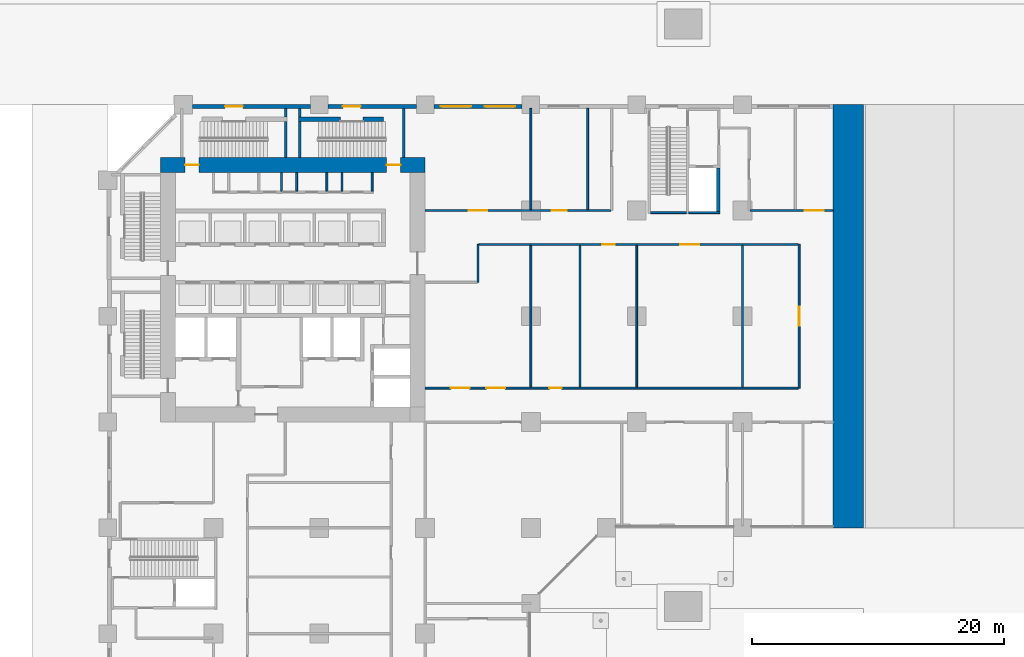
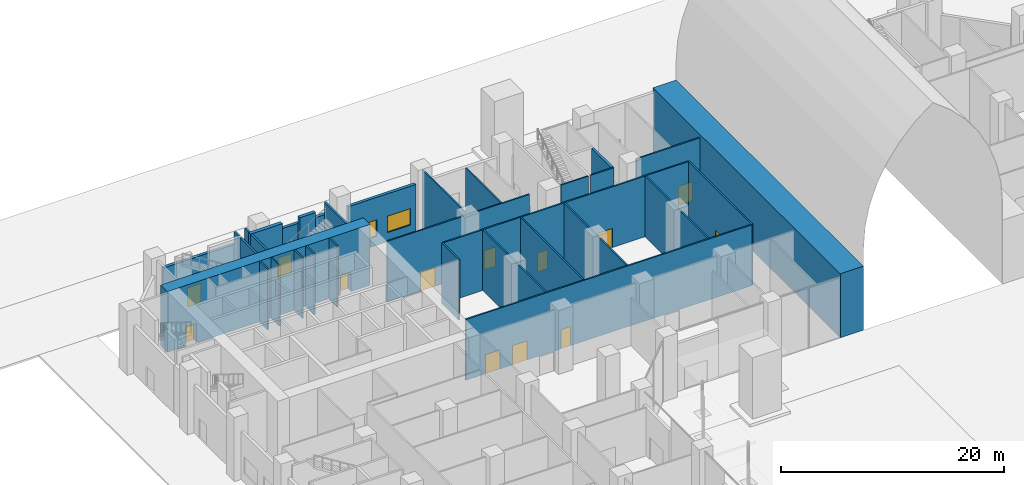
# One storey, part 20 of 32: 32 walls, 13 doors, 2 windows, 15 openings.
"""IFC4 building model written with IfcOpenShell, lengths in metres."""

from ifc_helpers import new_model, si_unit, direction, frame, frame_2d, origin, place, context, subcontext, project, spatial, polyline, rectangle, outline, extrude, material, layer, layer_set, type_object, element, fill, save


model = new_model("IFC4")

# Units and contexts
model_context = context("Model", 3, precision=1e-05, world=origin(), true_north=direction((0.0, 1.0)))
body_context = subcontext(model_context, "Body", "Model", "MODEL_VIEW")
ifc_project = project(units=[si_unit("LENGTHUNIT", "METRE"), si_unit("AREAUNIT", "SQUARE_METRE"), si_unit("VOLUMEUNIT", "CUBIC_METRE"), si_unit("PLANEANGLEUNIT", "RADIAN"), si_unit("MASSUNIT", "GRAM", prefix="KILO")], contexts=[model_context])

# Site, building, storey
site_placement = place(None, origin())
site = spatial("IfcSite", under=ifc_project, at=site_placement, CompositionType="ELEMENT")
building_placement = place(site_placement, origin())
building = spatial("IfcBuilding", under=site, at=building_placement, Name="Kawkab Arch Medical Tower", CompositionType="ELEMENT")
storey_placement = place(building_placement, origin())
storey = spatial("IfcBuildingStorey", under=building, at=storey_placement, Name="L01", CompositionType="ELEMENT", Elevation=0.0)

# Wall
ifc_material_1 = material(Name="Concrete C60/75", Category="concrete")
wall_type_1 = type_object("IfcWallType", Name="Arch wall C60/75", PredefinedType="SHEAR", material=ifc_material_1)
wall_1_placement = place(storey_placement, frame((0.0, 0.0, 0.0), z_axis=(0.0, -1.0, 0.0), x_axis=(1.0, 0.0, 0.0)))
element("IfcWall", 1, at=wall_1_placement, inside=storey, type_object=wall_type_1, Name="Arch wall L01-1", PredefinedType="SHEAR", context=body_context, shape_type="SweptSolid", body=[
    extrude(outline(polyline([(60.0, 7.0), (60.0, 6.75), (60.0, 4.5), (60.0, 2.25), (60.0, 0.0), (57.60009765625, 0.0), (57.60009765625, 7.0), (60.0, 7.0)])), origin(), (0.0, 0.0, 1.0), 33.60009765625),
])

# Wall, openings, doors
ifc_material_2 = material(Name="Concrete C60/75", Category="concrete")
ifc_layer_1 = layer(ifc_material_2, 1.199951171875)
ifc_layer_set_1 = layer_set([ifc_layer_1], Name="Concrete C60/75")
wall_type_2 = type_object("IfcWallType", Name="Core ring wall 1200 C60/75", PredefinedType="SHEAR", material=ifc_layer_set_1)
wall_2_placement = place(storey_placement, frame((4.199951171875, -4.800048828125, 0.0), z_axis=(0.0, 0.0, 1.0), x_axis=(1.0, 0.0, 0.0)))
wall_2 = element("IfcWall", 2, at=wall_2_placement, inside=storey, type_object=wall_type_2, Name="L01 core wall", PredefinedType="SHEAR", context=body_context, shape_type="SweptSolid", body=[
    extrude(rectangle(XDim=21.0, YDim=1.199951171875, at=frame_2d((10.5, 0.0))), origin(), (0.0, 0.0, 1.0), 6.64990234375),
])
opening_1_placement = place(wall_2_placement, frame((1.949951171875, 0.0, 0.0)))
opening_1 = element("IfcOpeningElement", 3, at=opening_1_placement, cuts=wall_2, Name="Opening SD", PredefinedType="OPENING", context=body_context, shape_type="SweptSolid", body=[
    extrude(rectangle(XDim=1.10009765625, YDim=2.10009765625, at=frame_2d((0.550048828125, 1.050048828125))), frame((0.0, 0.60986328125, 0.0), z_axis=(0.0, -1.0, 0.0), x_axis=(1.0, 0.0, 0.0)), (0.0, 0.0, 1.0), 1.219970703125),
])
opening_2_placement = place(wall_2_placement, frame((17.949951171875, 0.0, 0.0)))
opening_2 = element("IfcOpeningElement", 4, at=opening_2_placement, cuts=wall_2, Name="Opening SD", PredefinedType="OPENING", context=body_context, shape_type="SweptSolid", body=[
    extrude(rectangle(XDim=1.10009765625, YDim=2.10009765625, at=frame_2d((0.550048828125, 1.050048828125))), frame((0.0, 0.60986328125, 0.0), z_axis=(0.0, -1.0, 0.0), x_axis=(1.0, 0.0, 0.0)), (0.0, 0.0, 1.0), 1.219970703125),
])
ifc_material_3 = material(Name="Hollow metal fire door leaf")
door_type_1 = type_object("IfcDoorType", Name="Exit stair door 1100", OperationType="SINGLE_SWING_LEFT", PredefinedType="DOOR", material=ifc_material_3)
door_1_placement = place(opening_1_placement, origin())
door_1 = element("IfcDoor", 5, at=door_1_placement, inside=storey, type_object=door_type_1, Name="L01 Exit stair ST3 door", OperationType="SINGLE_SWING_LEFT", OverallHeight=2.10009765625, OverallWidth=1.10009765625, PredefinedType="DOOR", context=body_context, shape_type="SweptSolid", body=[
    extrude(rectangle(XDim=1.10009765625, YDim=2.10009765625, at=frame_2d((0.550048828125, 1.050048828125))), frame((0.0, 0.02490234375, 0.0), z_axis=(0.0, -1.0, 0.0), x_axis=(1.0, 0.0, 0.0)), (0.0, 0.0, 1.0), 0.050048828125),
])
fill(opening_1, door_1)
door_2_placement = place(opening_2_placement, origin())
door_2 = element("IfcDoor", 6, at=door_2_placement, inside=storey, type_object=door_type_1, Name="L01 Exit stair ST4 door", OperationType="SINGLE_SWING_LEFT", OverallHeight=2.10009765625, OverallWidth=1.10009765625, PredefinedType="DOOR", context=body_context, shape_type="SweptSolid", body=[
    extrude(rectangle(XDim=1.10009765625, YDim=2.10009765625, at=frame_2d((0.550048828125, 1.050048828125))), frame((0.0, 0.02490234375, 0.0), z_axis=(0.0, -1.0, 0.0), x_axis=(1.0, 0.0, 0.0)), (0.0, 0.0, 1.0), 0.050048828125),
])
fill(opening_2, door_2)

# Walls
ifc_material_4 = material(Name="Gypsum board on steel studs", Category="steel")
ifc_layer_2 = layer(ifc_material_4, 0.14990234375)
ifc_layer_set_2 = layer_set([ifc_layer_2], Name="Gypsum board on steel studs")
wall_type_3 = type_object("IfcWallType", Name="Core room partition 150", PredefinedType="PARTITIONING", material=ifc_layer_set_2)
for number, where, z_axis, x_axis, name in (
    (7, (13.800048828125, -6.875, 0.0), (0.0, 0.0, 1.0), (0.0, 1.0, 0.0), "L01 core room partition"),
    (8, (15.0, -6.875, 0.0), (0.0, 0.0, 1.0), (0.0, 1.0, 0.0), "L01 core room partition"),
    (9, (17.39990234375, -6.875, 0.0), (0.0, 0.0, 1.0), (0.0, 1.0, 0.0), "L01 core room partition"),
    (10, (18.60009765625, -6.875, 0.0), (0.0, 0.0, 1.0), (0.0, 1.0, 0.0), "L01 core room partition"),
    (11, (21.0, -6.875, 0.0), (0.0, 0.0, 1.0), (0.0, 1.0, 0.0), "L01 core room partition"),
):
    element("IfcWall", number, at=place(storey_placement, frame(where, z_axis=z_axis, x_axis=x_axis)), inside=storey, type_object=wall_type_3, Name=name, PredefinedType="PARTITIONING", context=body_context, shape_type="SweptSolid", body=[
        extrude(rectangle(XDim=1.47509765625, YDim=0.14990234375, at=frame_2d((0.737548828125, 0.0))), origin(), (0.0, 0.0, 1.0), 6.64990234375),
    ])
ifc_material_5 = material(Name="Concrete C60/75", Category="concrete")
ifc_layer_3 = layer(ifc_material_5, 0.25)
ifc_layer_set_3 = layer_set([ifc_layer_3], Name="Concrete C60/75")
wall_type_4 = type_object("IfcWallType", Name="Core shear wall 250 C60/75", PredefinedType="SHEAR", material=ifc_layer_set_3)
wall_3_placement = place(storey_placement, frame((48.47509765625, -8.5, 0.0), z_axis=(0.0, 0.0, 1.0), x_axis=(0.0, 1.0, 0.0)))
element("IfcWall", 12, at=wall_3_placement, inside=storey, type_object=wall_type_4, Name="L01 core shear wall", PredefinedType="SHEAR", context=body_context, shape_type="SweptSolid", body=[
    extrude(rectangle(XDim=3.47509765625, YDim=0.25, at=frame_2d((1.737548828125, 0.0))), origin(), (0.0, 0.0, 1.0), 6.64990234375),
])

# Wall, openings, doors
ifc_material_6 = material(Name="Gypsum board partition on steel studs, mineral wool", Category="steel")
ifc_layer_4 = layer(ifc_material_6, 0.14990234375)
ifc_layer_set_4 = layer_set([ifc_layer_4], Name="Gypsum board partition on steel studs, mineral wool")
wall_type_5 = type_object("IfcWallType", Name="Partition 150", PredefinedType="PARTITIONING", material=ifc_layer_set_4)
wall_4_placement = place(storey_placement, frame((25.199951171875, -22.5, 0.0), z_axis=(0.0, 0.0, 1.0), x_axis=(1.0, 0.0, 0.0)))
wall_4 = element("IfcWall", 13, at=wall_4_placement, inside=storey, type_object=wall_type_5, Name="Partition 150 w030", PredefinedType="PARTITIONING", context=body_context, shape_type="SweptSolid", body=[
    extrude(rectangle(XDim=29.625, YDim=0.14990234375, at=frame_2d((14.8125, 0.0))), origin(), (0.0, 0.0, 1.0), 6.64990234375),
])
opening_3_placement = place(wall_4_placement, frame((2.050048828125, 0.0, 0.0)))
opening_3 = element("IfcOpeningElement", 14, at=opening_3_placement, cuts=wall_4, Name="Opening P01-008", PredefinedType="OPENING", context=body_context, shape_type="SweptSolid", body=[
    extrude(rectangle(XDim=1.5, YDim=2.10009765625, at=frame_2d((0.75, 1.050048828125))), frame((0.0, 0.0849609375, 0.0), z_axis=(0.0, -1.0, 0.0), x_axis=(1.0, 0.0, 0.0)), (0.0, 0.0, 1.0), 0.169921875),
])
opening_4_placement = place(wall_4_placement, frame((4.85009765625, 0.0, 0.0)))
opening_4 = element("IfcOpeningElement", 15, at=opening_4_placement, cuts=wall_4, Name="Opening P01-009", PredefinedType="OPENING", context=body_context, shape_type="SweptSolid", body=[
    extrude(rectangle(XDim=1.5, YDim=2.10009765625, at=frame_2d((0.75, 1.050048828125))), frame((0.0, 0.0849609375, 0.0), z_axis=(0.0, -1.0, 0.0), x_axis=(1.0, 0.0, 0.0)), (0.0, 0.0, 1.0), 0.169921875),
])
opening_5_placement = place(wall_4_placement, frame((9.85009765625, 0.0, 0.0)))
opening_5 = element("IfcOpeningElement", 16, at=opening_5_placement, cuts=wall_4, Name="Opening P01-017", PredefinedType="OPENING", context=body_context, shape_type="SweptSolid", body=[
    extrude(rectangle(XDim=1.0, YDim=2.10009765625, at=frame_2d((0.5, 1.050048828125))), frame((0.0, 0.0849609375, 0.0), z_axis=(0.0, -1.0, 0.0), x_axis=(1.0, 0.0, 0.0)), (0.0, 0.0, 1.0), 0.169921875),
])
ifc_material_7 = material(Name="Hollow metal door leaf")
door_type_2 = type_object("IfcDoorType", Name="Double door 1500x2100 FD30S", OperationType="NOTDEFINED", PredefinedType="DOOR", material=ifc_material_7)
door_3_placement = place(opening_3_placement, origin())
door_3 = element("IfcDoor", 17, at=door_3_placement, inside=storey, type_object=door_type_2, Name="Door P01-008", OperationType="DOUBLE_DOOR_SINGLE_SWING", OverallHeight=2.10009765625, OverallWidth=1.5, PredefinedType="DOOR", context=body_context, shape_type="SweptSolid", body=[
    extrude(rectangle(XDim=1.5, YDim=2.10009765625, at=frame_2d((0.75, 1.050048828125))), frame((0.0, 0.02490234375, 0.0), z_axis=(0.0, -1.0, 0.0), x_axis=(1.0, 0.0, 0.0)), (0.0, 0.0, 1.0), 0.050048828125),
])
fill(opening_3, door_3)
door_4_placement = place(opening_4_placement, origin())
door_4 = element("IfcDoor", 18, at=door_4_placement, inside=storey, type_object=door_type_2, Name="Door P01-009", OperationType="DOUBLE_DOOR_SINGLE_SWING", OverallHeight=2.10009765625, OverallWidth=1.5, PredefinedType="DOOR", context=body_context, shape_type="SweptSolid", body=[
    extrude(rectangle(XDim=1.5, YDim=2.10009765625, at=frame_2d((0.75, 1.050048828125))), frame((0.0, 0.02490234375, 0.0), z_axis=(0.0, -1.0, 0.0), x_axis=(1.0, 0.0, 0.0)), (0.0, 0.0, 1.0), 0.050048828125),
])
fill(opening_4, door_4)
ifc_material_8 = material(Name="Hollow metal door leaf")
door_type_3 = type_object("IfcDoorType", Name="Single door 1000x2100 FD30S", OperationType="NOTDEFINED", PredefinedType="DOOR", material=ifc_material_8)
door_5_placement = place(opening_5_placement, origin())
door_5 = element("IfcDoor", 19, at=door_5_placement, inside=storey, type_object=door_type_3, Name="Door P01-017", OperationType="SINGLE_SWING_LEFT", OverallHeight=2.10009765625, OverallWidth=1.0, PredefinedType="DOOR", context=body_context, shape_type="SweptSolid", body=[
    extrude(rectangle(XDim=1.0, YDim=2.10009765625, at=frame_2d((0.5, 1.050048828125))), frame((0.0, 0.02490234375, 0.0), z_axis=(0.0, -1.0, 0.0), x_axis=(1.0, 0.0, 0.0)), (0.0, 0.0, 1.0), 0.050048828125),
])
fill(opening_5, door_5)

wall_5_placement = place(storey_placement, frame((29.47509765625, -11.10009765625, 0.0), z_axis=(0.0, 0.0, 1.0), x_axis=(1.0, 0.0, 0.0)))
wall_5 = element("IfcWall", 20, at=wall_5_placement, inside=storey, type_object=wall_type_5, Name="Partition 150 w033", PredefinedType="PARTITIONING", context=body_context, shape_type="SweptSolid", body=[
    extrude(rectangle(XDim=25.349853515625, YDim=0.14990234375, at=frame_2d((12.6748046875, 0.0))), origin(), (0.0, 0.0, 1.0), 6.64990234375),
])
opening_6_placement = place(wall_5_placement, frame((9.77490234375, 0.0, 0.0)))
opening_6 = element("IfcOpeningElement", 21, at=opening_6_placement, cuts=wall_5, Name="Opening P01-018", PredefinedType="OPENING", context=body_context, shape_type="SweptSolid", body=[
    extrude(rectangle(XDim=1.0, YDim=2.10009765625, at=frame_2d((0.5, 1.050048828125))), frame((0.0, 0.0849609375, 0.0), z_axis=(0.0, -1.0, 0.0), x_axis=(1.0, 0.0, 0.0)), (0.0, 0.0, 1.0), 0.169921875),
])
opening_7_placement = place(wall_5_placement, frame((15.97509765625, 0.0, 0.0)))
opening_7 = element("IfcOpeningElement", 22, at=opening_7_placement, cuts=wall_5, Name="Opening P01-010", PredefinedType="OPENING", context=body_context, shape_type="SweptSolid", body=[
    extrude(rectangle(XDim=1.5, YDim=2.10009765625, at=frame_2d((0.75, 1.050048828125))), frame((0.0, 0.0849609375, 0.0), z_axis=(0.0, -1.0, 0.0), x_axis=(1.0, 0.0, 0.0)), (0.0, 0.0, 1.0), 0.169921875),
])
door_6_placement = place(opening_7_placement, origin())
door_6 = element("IfcDoor", 23, at=door_6_placement, inside=storey, type_object=door_type_2, Name="Door P01-010", OperationType="DOUBLE_DOOR_SINGLE_SWING", OverallHeight=2.10009765625, OverallWidth=1.5, PredefinedType="DOOR", context=body_context, shape_type="SweptSolid", body=[
    extrude(rectangle(XDim=1.5, YDim=2.10009765625, at=frame_2d((0.75, 1.050048828125))), frame((0.0, 0.02490234375, 0.0), z_axis=(0.0, -1.0, 0.0), x_axis=(1.0, 0.0, 0.0)), (0.0, 0.0, 1.0), 0.050048828125),
])
fill(opening_7, door_6)
door_7_placement = place(opening_6_placement, origin())
door_7 = element("IfcDoor", 24, at=door_7_placement, inside=storey, type_object=door_type_3, Name="Door P01-018", OperationType="SINGLE_SWING_RIGHT", OverallHeight=2.10009765625, OverallWidth=1.0, PredefinedType="DOOR", context=body_context, shape_type="SweptSolid", body=[
    extrude(rectangle(XDim=1.0, YDim=2.10009765625, at=frame_2d((0.5, 1.050048828125))), frame((0.0, 0.02490234375, 0.0), z_axis=(0.0, -1.0, 0.0), x_axis=(1.0, 0.0, 0.0)), (0.0, 0.0, 1.0), 0.050048828125),
])
fill(opening_6, door_7)

wall_6_placement = place(storey_placement, frame((25.199951171875, -8.39990234375, 0.0), z_axis=(0.0, 0.0, 1.0), x_axis=(1.0, 0.0, 0.0)))
wall_6 = element("IfcWall", 25, at=wall_6_placement, inside=storey, type_object=wall_type_5, Name="Partition 150 w035", PredefinedType="PARTITIONING", context=body_context, shape_type="SweptSolid", body=[
    extrude(rectangle(XDim=14.73193359375, YDim=0.14990234375, at=frame_2d((7.365966796875, 0.0))), origin(), (0.0, 0.0, 1.0), 6.64990234375),
])
opening_8_placement = place(wall_6_placement, frame((3.449951171875, 0.0, 0.0)))
opening_8 = element("IfcOpeningElement", 26, at=opening_8_placement, cuts=wall_6, Name="Opening P01-005", PredefinedType="OPENING", context=body_context, shape_type="SweptSolid", body=[
    extrude(rectangle(XDim=1.5, YDim=2.10009765625, at=frame_2d((0.75, 1.050048828125))), frame((0.0, 0.0849609375, 0.0), z_axis=(0.0, -1.0, 0.0), x_axis=(1.0, 0.0, 0.0)), (0.0, 0.0, 1.0), 0.169921875),
])
opening_9_placement = place(wall_6_placement, frame((10.050048828125, 0.0, 0.0)))
opening_9 = element("IfcOpeningElement", 27, at=opening_9_placement, cuts=wall_6, Name="Opening P01-041", PredefinedType="OPENING", context=body_context, shape_type="SweptSolid", body=[
    extrude(rectangle(XDim=1.199951171875, YDim=2.10009765625, at=frame_2d((0.60009765625, 1.050048828125))), frame((0.0, 0.0849609375, 0.0), z_axis=(0.0, -1.0, 0.0), x_axis=(1.0, 0.0, 0.0)), (0.0, 0.0, 1.0), 0.169921875),
])
door_8_placement = place(opening_8_placement, origin())
door_8 = element("IfcDoor", 28, at=door_8_placement, inside=storey, type_object=door_type_2, Name="Door P01-005", OperationType="DOUBLE_DOOR_SINGLE_SWING", OverallHeight=2.10009765625, OverallWidth=1.5, PredefinedType="DOOR", context=body_context, shape_type="SweptSolid", body=[
    extrude(rectangle(XDim=1.5, YDim=2.10009765625, at=frame_2d((0.75, 1.050048828125))), frame((0.0, 0.02490234375, 0.0), z_axis=(0.0, -1.0, 0.0), x_axis=(1.0, 0.0, 0.0)), (0.0, 0.0, 1.0), 0.050048828125),
])
fill(opening_8, door_8)
ifc_material_9 = material(Name="Hollow metal door leaf")
door_type_4 = type_object("IfcDoorType", Name="Single door 1200x2100 FD30S", OperationType="NOTDEFINED", PredefinedType="DOOR", material=ifc_material_9)
door_9_placement = place(opening_9_placement, origin())
door_9 = element("IfcDoor", 29, at=door_9_placement, inside=storey, type_object=door_type_4, Name="Door P01-041", OperationType="SINGLE_SWING_RIGHT", OverallHeight=2.10009765625, OverallWidth=1.199951171875, PredefinedType="DOOR", context=body_context, shape_type="SweptSolid", body=[
    extrude(rectangle(XDim=1.199951171875, YDim=2.10009765625, at=frame_2d((0.60009765625, 1.050048828125))), frame((0.0, 0.02490234375, 0.0), z_axis=(0.0, -1.0, 0.0), x_axis=(1.0, 0.0, 0.0)), (0.0, 0.0, 1.0), 0.050048828125),
])
fill(opening_9, door_9)

# Wall, opening, door
wall_7_placement = place(storey_placement, frame((51.0, -8.39990234375, 0.0), z_axis=(0.0, 0.0, 1.0), x_axis=(1.0, 0.0, 0.0)))
wall_7 = element("IfcWall", 30, at=wall_7_placement, inside=storey, type_object=wall_type_5, Name="Partition 150 w036", PredefinedType="PARTITIONING", context=body_context, shape_type="SweptSolid", body=[
    extrude(rectangle(XDim=6.60009765625, YDim=0.14990234375, at=frame_2d((3.300048828125, 0.0))), origin(), (0.0, 0.0, 1.0), 6.64990234375),
])
opening_10_placement = place(wall_7_placement, frame((4.35009765625, 0.0, 0.0)))
opening_10 = element("IfcOpeningElement", 31, at=opening_10_placement, cuts=wall_7, Name="Opening P01-007", PredefinedType="OPENING", context=body_context, shape_type="SweptSolid", body=[
    extrude(rectangle(XDim=1.5, YDim=2.10009765625, at=frame_2d((0.75, 1.050048828125))), frame((0.0, 0.0849609375, 0.0), z_axis=(0.0, -1.0, 0.0), x_axis=(1.0, 0.0, 0.0)), (0.0, 0.0, 1.0), 0.169921875),
])
door_10_placement = place(opening_10_placement, origin())
door_10 = element("IfcDoor", 32, at=door_10_placement, inside=storey, type_object=door_type_2, Name="Door P01-007", OperationType="DOUBLE_DOOR_SINGLE_SWING", OverallHeight=2.10009765625, OverallWidth=1.5, PredefinedType="DOOR", context=body_context, shape_type="SweptSolid", body=[
    extrude(rectangle(XDim=1.5, YDim=2.10009765625, at=frame_2d((0.75, 1.050048828125))), frame((0.0, 0.02490234375, 0.0), z_axis=(0.0, -1.0, 0.0), x_axis=(1.0, 0.0, 0.0)), (0.0, 0.0, 1.0), 0.050048828125),
])
fill(opening_10, door_10)

# Walls
wall_8_placement = place(storey_placement, frame((29.39990234375, -14.10009765625, 0.0), z_axis=(0.0, 0.0, 1.0), x_axis=(0.0, 1.0, 0.0)))
element("IfcWall", 33, at=wall_8_placement, inside=storey, type_object=wall_type_5, Name="Partition 150 w051", PredefinedType="PARTITIONING", context=body_context, shape_type="SweptSolid", body=[
    extrude(rectangle(XDim=3.0, YDim=0.14990234375, at=frame_2d((1.5, 0.0))), origin(), (0.0, 0.0, 1.0), 6.64990234375),
])
wall_9_placement = place(storey_placement, frame((33.60009765625, -22.425048828125, 0.0), z_axis=(0.0, 0.0, 1.0), x_axis=(0.0, 1.0, 0.0)))
element("IfcWall", 34, at=wall_9_placement, inside=storey, type_object=wall_type_5, Name="Partition 150 w052", PredefinedType="PARTITIONING", context=body_context, shape_type="SweptSolid", body=[
    extrude(rectangle(XDim=11.25, YDim=0.14990234375, at=frame_2d((5.625, 0.0))), origin(), (0.0, 0.0, 1.0), 6.64990234375),
])
wall_10_placement = place(storey_placement, frame((33.60009765625, -8.324951171875, 0.0), z_axis=(0.0, 0.0, 1.0), x_axis=(0.0, 1.0, 0.0)))
element("IfcWall", 35, at=wall_10_placement, inside=storey, type_object=wall_type_5, Name="Partition 150 w053", PredefinedType="PARTITIONING", context=body_context, shape_type="SweptSolid", body=[
    extrude(rectangle(XDim=8.02490234375, YDim=0.14990234375, at=frame_2d((4.012451171875, 0.0))), origin(), (0.0, 0.0, 1.0), 6.64990234375),
])
wall_11_placement = place(storey_placement, frame((37.5, -22.425048828125, 0.0), z_axis=(0.0, 0.0, 1.0), x_axis=(0.0, 1.0, 0.0)))
element("IfcWall", 36, at=wall_11_placement, inside=storey, type_object=wall_type_5, Name="Partition 150 w054", PredefinedType="PARTITIONING", context=body_context, shape_type="SweptSolid", body=[
    extrude(rectangle(XDim=11.25, YDim=0.14990234375, at=frame_2d((5.625, 0.0))), origin(), (0.0, 0.0, 1.0), 6.64990234375),
])
wall_12_placement = place(storey_placement, frame((38.10009765625, -8.324951171875, 0.0), z_axis=(0.0, 0.0, 1.0), x_axis=(0.0, 1.0, 0.0)))
element("IfcWall", 37, at=wall_12_placement, inside=storey, type_object=wall_type_5, Name="Partition 150 w055", PredefinedType="PARTITIONING", context=body_context, shape_type="SweptSolid", body=[
    extrude(rectangle(XDim=8.02490234375, YDim=0.14990234375, at=frame_2d((4.012451171875, 0.0))), origin(), (0.0, 0.0, 1.0), 5.25),
])
for number, where, z_axis, x_axis, name in (
    (38, (42.0, -22.425048828125, 0.0), (0.0, 0.0, 1.0), (0.0, 1.0, 0.0), "Partition 150 w058"),
    (39, (50.39990234375, -22.425048828125, 0.0), (0.0, 0.0, 1.0), (0.0, 1.0, 0.0), "Partition 150 w062"),
):
    element("IfcWall", number, at=place(storey_placement, frame(where, z_axis=z_axis, x_axis=x_axis)), inside=storey, type_object=wall_type_5, Name=name, PredefinedType="PARTITIONING", context=body_context, shape_type="SweptSolid", body=[
        extrude(rectangle(XDim=11.25, YDim=0.14990234375, at=frame_2d((5.625, 0.0))), origin(), (0.0, 0.0, 1.0), 6.64990234375),
    ])

# Wall, opening, door
wall_13_placement = place(storey_placement, frame((54.89990234375, -22.5, 0.0), z_axis=(0.0, 0.0, 1.0), x_axis=(0.0, 1.0, 0.0)))
wall_13 = element("IfcWall", 40, at=wall_13_placement, inside=storey, type_object=wall_type_5, Name="Partition 150 w065", PredefinedType="PARTITIONING", context=body_context, shape_type="SweptSolid", body=[
    extrude(rectangle(XDim=11.39990234375, YDim=0.14990234375, at=frame_2d((5.699951171875, 0.0))), origin(), (0.0, 0.0, 1.0), 6.64990234375),
])
opening_11_placement = place(wall_13_placement, frame((4.949951171875, 0.0, 0.0)))
opening_11 = element("IfcOpeningElement", 41, at=opening_11_placement, cuts=wall_13, Name="Opening P01-011", PredefinedType="OPENING", context=body_context, shape_type="SweptSolid", body=[
    extrude(rectangle(XDim=1.5, YDim=2.10009765625, at=frame_2d((0.75, 1.050048828125))), frame((0.0, 0.0849609375, 0.0), z_axis=(0.0, -1.0, 0.0), x_axis=(1.0, 0.0, 0.0)), (0.0, 0.0, 1.0), 0.169921875),
])
door_11_placement = place(opening_11_placement, origin())
door_11 = element("IfcDoor", 42, at=door_11_placement, inside=storey, type_object=door_type_2, Name="Door P01-011", OperationType="DOUBLE_DOOR_SINGLE_SWING", OverallHeight=2.10009765625, OverallWidth=1.5, PredefinedType="DOOR", context=body_context, shape_type="SweptSolid", body=[
    extrude(rectangle(XDim=1.5, YDim=2.10009765625, at=frame_2d((0.75, 1.050048828125))), frame((0.0, 0.02490234375, 0.0), z_axis=(0.0, -1.0, 0.0), x_axis=(1.0, 0.0, 0.0)), (0.0, 0.0, 1.0), 0.050048828125),
])
fill(opening_11, door_11)

# Wall, openings, windows
ifc_material_10 = material(Name="Bronze clad insulated wall panel")
ifc_layer_5 = layer(ifc_material_10, 0.300048828125)
ifc_layer_set_5 = layer_set([ifc_layer_5], Name="Bronze clad insulated wall panel")
wall_type_6 = type_object("IfcWallType", Name="Podium external wall 300", PredefinedType="SOLIDWALL", material=ifc_layer_set_5)
wall_14_placement = place(storey_placement, frame((32.89990234375, -0.14990234375, 0.0), z_axis=(0.0, 0.0, 1.0), x_axis=(-1.0, 0.0, 0.0)))
wall_14 = element("IfcWall", 43, at=wall_14_placement, inside=storey, type_object=wall_type_6, Name="External wall L01 R06.4", PredefinedType="SOLIDWALL", context=body_context, shape_type="SweptSolid", body=[
    extrude(rectangle(XDim=7.0, YDim=0.300048828125, at=frame_2d((3.5, 0.0))), origin(), (0.0, 0.0, 1.0), 5.25),
])
opening_12_placement = place(wall_14_placement, frame((0.550048828125, 0.0, 1.0)))
opening_12 = element("IfcOpeningElement", 44, at=opening_12_placement, cuts=wall_14, Name="Opening PWN240-18-S10", PredefinedType="OPENING", context=body_context, shape_type="SweptSolid", body=[
    extrude(rectangle(XDim=2.39990234375, YDim=1.800048828125, at=frame_2d((1.199951171875, 0.89990234375))), frame((0.0, 0.159912109375, 0.0), z_axis=(0.0, -1.0, 0.0), x_axis=(1.0, 0.0, 0.0)), (0.0, 0.0, 1.0), 0.320068359375),
])
opening_13_placement = place(wall_14_placement, frame((4.050048828125, 0.0, 1.0)))
opening_13 = element("IfcOpeningElement", 45, at=opening_13_placement, cuts=wall_14, Name="Opening PWN240-18-S10", PredefinedType="OPENING", context=body_context, shape_type="SweptSolid", body=[
    extrude(rectangle(XDim=2.39990234375, YDim=1.800048828125, at=frame_2d((1.199951171875, 0.89990234375))), frame((0.0, 0.159912109375, 0.0), z_axis=(0.0, -1.0, 0.0), x_axis=(1.0, 0.0, 0.0)), (0.0, 0.0, 1.0), 0.320068359375),
])
ifc_material_11 = material(Name="Bronze anodised aluminium louvred window", Category="aluminium")
window_type = type_object("IfcWindowType", Name="Podium window 2400 x 1800 sill 1000", PartitioningType="DOUBLE_PANEL_VERTICAL", PredefinedType="WINDOW", material=ifc_material_11)
window_1_placement = place(opening_12_placement, origin())
window_1 = element("IfcWindow", 46, at=window_1_placement, inside=storey, type_object=window_type, Name="Window L01 R06.4.1", OverallHeight=1.800048828125, OverallWidth=2.39990234375, PartitioningType="SINGLE_PANEL", PredefinedType="WINDOW", context=body_context, shape_type="SweptSolid", body=[
    extrude(rectangle(XDim=2.39990234375, YDim=1.800048828125, at=frame_2d((1.199951171875, 0.89990234375))), frame((0.0, 0.030029296875, 0.0), z_axis=(0.0, -1.0, 0.0), x_axis=(1.0, 0.0, 0.0)), (0.0, 0.0, 1.0), 0.06005859375),
])
fill(opening_12, window_1)
window_2_placement = place(opening_13_placement, origin())
window_2 = element("IfcWindow", 47, at=window_2_placement, inside=storey, type_object=window_type, Name="Window L01 R06.4.2", OverallHeight=1.800048828125, OverallWidth=2.39990234375, PartitioningType="SINGLE_PANEL", PredefinedType="WINDOW", context=body_context, shape_type="SweptSolid", body=[
    extrude(rectangle(XDim=2.39990234375, YDim=1.800048828125, at=frame_2d((1.199951171875, 0.89990234375))), frame((0.0, 0.030029296875, 0.0), z_axis=(0.0, -1.0, 0.0), x_axis=(1.0, 0.0, 0.0)), (0.0, 0.0, 1.0), 0.06005859375),
])
fill(opening_13, window_2)

# Wall, opening, door
wall_15_placement = place(storey_placement, frame((24.5, -0.14990234375, 0.0), z_axis=(0.0, 0.0, 1.0), x_axis=(-1.0, 0.0, 0.0)))
wall_15 = element("IfcWall", 48, at=wall_15_placement, inside=storey, type_object=wall_type_6, Name="External wall L01 R06.5", PredefinedType="SOLIDWALL", context=body_context, shape_type="SweptSolid", body=[
    extrude(rectangle(XDim=7.0, YDim=0.300048828125, at=frame_2d((3.5, 0.0))), origin(), (0.0, 0.0, 1.0), 5.25),
])
opening_14_placement = place(wall_15_placement, frame((4.425048828125, 0.0, 0.0)))
opening_14 = element("IfcOpeningElement", 49, at=opening_14_placement, cuts=wall_15, Name="Opening P01-505", PredefinedType="OPENING", context=body_context, shape_type="SweptSolid", body=[
    extrude(rectangle(XDim=1.39990234375, YDim=2.10009765625, at=frame_2d((0.699951171875, 1.050048828125))), frame((0.0, 0.159912109375, 0.0), z_axis=(0.0, -1.0, 0.0), x_axis=(1.0, 0.0, 0.0)), (0.0, 0.0, 1.0), 0.320068359375),
])
ifc_material_12 = material(Name="Insulated steel door", Category="steel")
door_type_5 = type_object("IfcDoorType", Name="Stair discharge door 1400 x 2100", OperationType="DOUBLE_DOOR_SINGLE_SWING", PredefinedType="DOOR", material=ifc_material_12)
door_12_placement = place(opening_14_placement, frame((1.39990234375, 0.0, 0.0), z_axis=(0.0, 0.0, 1.0), x_axis=(-1.0, 0.0, 0.0)))
door_12 = element("IfcDoor", 50, at=door_12_placement, inside=storey, type_object=door_type_5, Name="Exit stair ST4 discharge", OperationType="DOUBLE_DOOR_SINGLE_SWING", OverallHeight=2.10009765625, OverallWidth=1.39990234375, PredefinedType="DOOR", context=body_context, shape_type="SweptSolid", body=[
    extrude(rectangle(XDim=1.39990234375, YDim=2.10009765625, at=frame_2d((0.699951171875, 1.050048828125))), frame((0.0, 0.02490234375, 0.0), z_axis=(0.0, -1.0, 0.0), x_axis=(1.0, 0.0, 0.0)), (0.0, 0.0, 1.0), 0.050048828125),
])
fill(opening_14, door_12)

wall_16_placement = place(storey_placement, frame((16.10009765625, -0.14990234375, 0.0), z_axis=(0.0, 0.0, 1.0), x_axis=(-1.0, 0.0, 0.0)))
wall_16 = element("IfcWall", 51, at=wall_16_placement, inside=storey, type_object=wall_type_6, Name="External wall L01 R06.6", PredefinedType="SOLIDWALL", context=body_context, shape_type="SweptSolid", body=[
    extrude(rectangle(XDim=9.375, YDim=0.300048828125, at=frame_2d((4.6875, 0.0))), origin(), (0.0, 0.0, 1.0), 5.25),
])
opening_15_placement = place(wall_16_placement, frame((5.375, 0.0, 0.0)))
opening_15 = element("IfcOpeningElement", 52, at=opening_15_placement, cuts=wall_16, Name="Opening P01-506", PredefinedType="OPENING", context=body_context, shape_type="SweptSolid", body=[
    extrude(rectangle(XDim=1.39990234375, YDim=2.10009765625, at=frame_2d((0.699951171875, 1.050048828125))), frame((0.0, 0.159912109375, 0.0), z_axis=(0.0, -1.0, 0.0), x_axis=(1.0, 0.0, 0.0)), (0.0, 0.0, 1.0), 0.320068359375),
])
door_13_placement = place(opening_15_placement, frame((1.39990234375, 0.0, 0.0), z_axis=(0.0, 0.0, 1.0), x_axis=(-1.0, 0.0, 0.0)))
door_13 = element("IfcDoor", 53, at=door_13_placement, inside=storey, type_object=door_type_5, Name="Exit stair ST3 discharge", OperationType="DOUBLE_DOOR_SINGLE_SWING", OverallHeight=2.10009765625, OverallWidth=1.39990234375, PredefinedType="DOOR", context=body_context, shape_type="SweptSolid", body=[
    extrude(rectangle(XDim=1.39990234375, YDim=2.10009765625, at=frame_2d((0.699951171875, 1.050048828125))), frame((0.0, 0.02490234375, 0.0), z_axis=(0.0, -1.0, 0.0), x_axis=(1.0, 0.0, 0.0)), (0.0, 0.0, 1.0), 0.050048828125),
])
fill(opening_15, door_13)

# Walls
ifc_material_13 = material(Name="Concrete C50/60", Category="concrete")
ifc_layer_6 = layer(ifc_material_13, 0.14990234375)
ifc_layer_set_6 = layer_set([ifc_layer_6], Name="Concrete C50/60")
wall_type_7 = type_object("IfcWallType", Name="Stair enclosure wall 150 C50/60", PredefinedType="SHEAR", material=ifc_layer_set_6)
wall_17_placement = place(storey_placement, frame((43.10009765625, -8.574951171875, 0.0), z_axis=(0.0, 0.0, 1.0), x_axis=(1.0, 0.0, 0.0)))
element("IfcWall", 54, at=wall_17_placement, inside=storey, type_object=wall_type_7, Name="L01 stair enclosure wall", PredefinedType="SHEAR", context=body_context, shape_type="SweptSolid", body=[
    extrude(rectangle(XDim=2.849853515625, YDim=0.14990234375, at=frame_2d((1.4248046875, 0.0))), origin(), (0.0, 0.0, 1.0), 6.64990234375),
])
wall_18_placement = place(storey_placement, frame((46.14990234375, -8.574951171875, 0.0), z_axis=(0.0, 0.0, 1.0), x_axis=(1.0, 0.0, 0.0)))
element("IfcWall", 55, at=wall_18_placement, inside=storey, type_object=wall_type_7, Name="L01 stair enclosure wall", PredefinedType="SHEAR", context=body_context, shape_type="SweptSolid", body=[
    extrude(rectangle(XDim=2.4501953125, YDim=0.14990234375, at=frame_2d((1.22509765625, 0.0))), origin(), (0.0, 0.0, 1.0), 6.64990234375),
])
ifc_material_14 = material(Name="Concrete C50/60", Category="concrete")
ifc_layer_7 = layer(ifc_material_14, 0.199951171875)
ifc_layer_set_7 = layer_set([ifc_layer_7], Name="Concrete C50/60")
wall_type_8 = type_object("IfcWallType", Name="Stair enclosure wall 200 C50/60", PredefinedType="SHEAR", material=ifc_layer_set_7)
wall_19_placement = place(storey_placement, frame((14.14990234375, -4.199951171875, 0.0), z_axis=(0.0, 0.0, 1.0), x_axis=(0.0, 1.0, 0.0)))
element("IfcWall", 56, at=wall_19_placement, inside=storey, type_object=wall_type_8, Name="L01 stair enclosure wall", PredefinedType="SHEAR", context=body_context, shape_type="SweptSolid", body=[
    extrude(rectangle(XDim=2.849853515625, YDim=0.199951171875, at=frame_2d((1.4248046875, 0.0))), origin(), (0.0, 0.0, 1.0), 6.64990234375),
])
wall_20_placement = place(storey_placement, frame((14.14990234375, -1.0, 0.0), z_axis=(0.0, 0.0, 1.0), x_axis=(0.0, 1.0, 0.0)))
element("IfcWall", 57, at=wall_20_placement, inside=storey, type_object=wall_type_8, Name="L01 stair enclosure wall", PredefinedType="SHEAR", context=body_context, shape_type="SweptSolid", body=[
    extrude(rectangle(XDim=0.699951171875, YDim=0.199951171875, at=frame_2d((0.35009765625, 0.0))), origin(), (0.0, 0.0, 1.0), 6.64990234375),
])
wall_21_placement = place(storey_placement, frame((15.25, -4.199951171875, 0.0), z_axis=(0.0, 0.0, 1.0), x_axis=(0.0, 1.0, 0.0)))
element("IfcWall", 58, at=wall_21_placement, inside=storey, type_object=wall_type_8, Name="L01 stair enclosure wall", PredefinedType="SHEAR", context=body_context, shape_type="SweptSolid", body=[
    extrude(rectangle(XDim=2.849853515625, YDim=0.199951171875, at=frame_2d((1.4248046875, 0.0))), origin(), (0.0, 0.0, 1.0), 6.64990234375),
])
wall_22_placement = place(storey_placement, frame((15.25, -1.0, 0.0), z_axis=(0.0, 0.0, 1.0), x_axis=(0.0, 1.0, 0.0)))
element("IfcWall", 59, at=wall_22_placement, inside=storey, type_object=wall_type_8, Name="L01 stair enclosure wall", PredefinedType="SHEAR", context=body_context, shape_type="SweptSolid", body=[
    extrude(rectangle(XDim=0.699951171875, YDim=0.199951171875, at=frame_2d((0.35009765625, 0.0))), origin(), (0.0, 0.0, 1.0), 6.64990234375),
])
wall_23_placement = place(storey_placement, frame((23.5, -4.199951171875, 0.0), z_axis=(0.0, 0.0, 1.0), x_axis=(0.0, 1.0, 0.0)))
element("IfcWall", 60, at=wall_23_placement, inside=storey, type_object=wall_type_8, Name="L01 stair enclosure wall", PredefinedType="SHEAR", context=body_context, shape_type="SweptSolid", body=[
    extrude(rectangle(XDim=3.89990234375, YDim=0.199951171875, at=frame_2d((1.949951171875, 0.0))), origin(), (0.0, 0.0, 1.0), 6.64990234375),
])
ifc_material_15 = material(Name="Concrete C50/60", Category="concrete")
ifc_layer_8 = layer(ifc_material_15, 0.35009765625)
ifc_layer_set_8 = layer_set([ifc_layer_8], Name="Concrete C50/60")
wall_type_9 = type_object("IfcWallType", Name="Stair enclosure wall 350 C50/60", PredefinedType="SHEAR", material=ifc_layer_set_8)
wall_24_placement = place(storey_placement, frame((15.14990234375, -1.175048828125, 0.0), z_axis=(0.0, 0.0, 1.0), x_axis=(1.0, 0.0, 0.0)))
element("IfcWall", 61, at=wall_24_placement, inside=storey, type_object=wall_type_9, Name="L01 stair enclosure wall", PredefinedType="SHEAR", context=body_context, shape_type="SweptSolid", body=[
    extrude(rectangle(XDim=3.3251953125, YDim=0.35009765625, at=frame_2d((1.66259765625, 0.0))), origin(), (0.0, 0.0, 1.0), 6.64990234375),
])
wall_25_placement = place(storey_placement, frame((20.27490234375, -1.175048828125, 0.0), z_axis=(0.0, 0.0, 1.0), x_axis=(1.0, 0.0, 0.0)))
element("IfcWall", 62, at=wall_25_placement, inside=storey, type_object=wall_type_9, Name="L01 stair enclosure wall", PredefinedType="SHEAR", context=body_context, shape_type="SweptSolid", body=[
    extrude(rectangle(XDim=1.625, YDim=0.35009765625, at=frame_2d((0.8125, 0.0))), origin(), (0.0, 0.0, 1.0), 6.64990234375),
])

save(model, "model.ifc")
